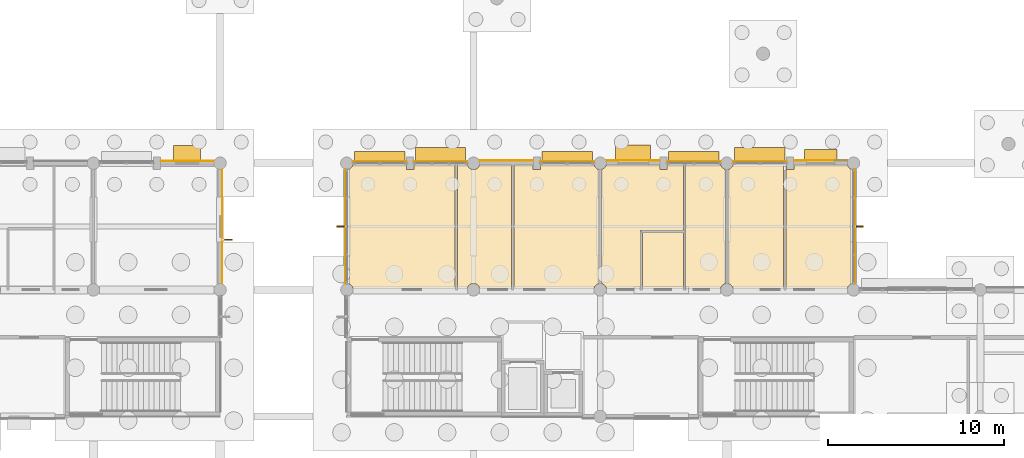
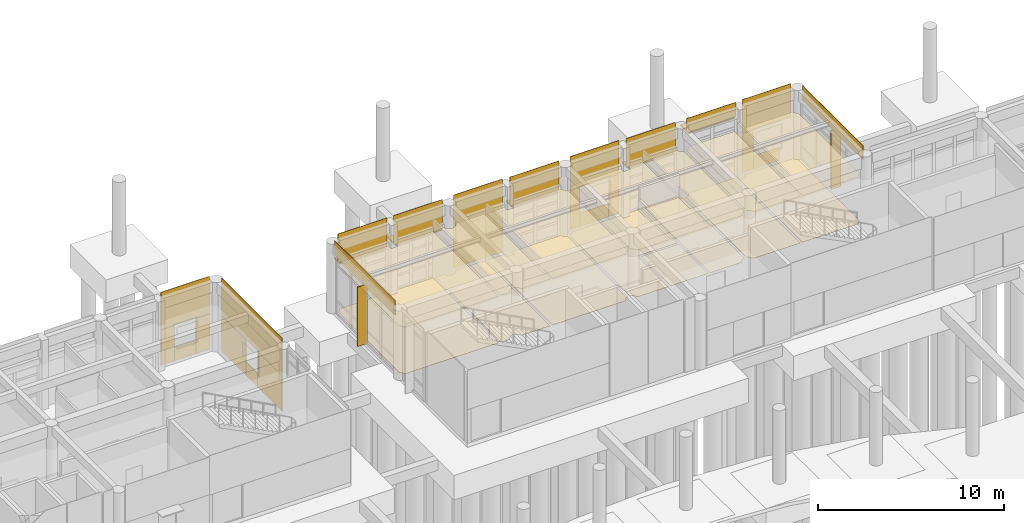
# One storey, part 98 of 103: 39 coverings, 11 shading devices.
"""IFC4 building model written with IfcOpenShell, lengths in metres."""

import ifcopenshell
import ifcopenshell.guid

model = None  # the IFC model being written
_history = None  # IfcOwnerHistory: only IFC2X3 demands one
_inside = {}  # id of a spatial element -> (the spatial element, [elements in it])
_under = {}  # id of a project, library or spatial element -> (it, [spatial elements below it])
_declared = {}  # id of a project -> (the project, [libraries it declares])
_typed = {}  # id of a type object -> (the type object, [elements of that type])
_made_of = {}  # id of a material, layer set ... -> (it, [elements and type objects made of it])


def new_model(schema):
    """Start an empty IFC model of exactly this schema.

    Asked for "IFC4X3", IfcOpenShell would pick the latest addendum, in which some entities
    have other attributes; the version numbers below select the first issue.
    IFC2X3 requires an IfcOwnerHistory on every rooted entity: one is made here for all.
    """
    global model, _history
    if schema == "IFC4X3":
        model = ifcopenshell.file(schema_version=(4, 3, 0, 0))
    else:
        model = ifcopenshell.file(schema=schema)
    _inside.clear()
    _under.clear()
    _declared.clear()
    _typed.clear()
    _made_of.clear()
    _history = None
    if model.schema == "IFC2X3":
        org = make("IfcOrganization", Name="unknown")
        user = make(
            "IfcPersonAndOrganization",
            ThePerson=make("IfcPerson", FamilyName="unknown"),
            TheOrganization=org,
        )
        app = make(
            "IfcApplication",
            ApplicationDeveloper=org,
            Version="unknown",
            ApplicationFullName="unknown",
            ApplicationIdentifier="unknown",
        )
        _history = make(
            "IfcOwnerHistory",
            OwningUser=user,
            OwningApplication=app,
            ChangeAction="ADDED",
            CreationDate=0,
        )
    return model


def make(cls, **values):
    """One entity of the class cls with the attributes given. An attribute that is None is left unset."""
    return model.create_entity(
        cls, **{name: value for name, value in values.items() if value is not None}
    )


def rooted(cls, **values):
    """An entity with a GlobalId (a new one), such as an element, a storey or a relation."""
    return make(cls, GlobalId=ifcopenshell.guid.new(), OwnerHistory=_history, **values)


def si_unit(unit_type, name, prefix=None):
    """IfcSIUnit, for example si_unit("LENGTHUNIT", "METRE", prefix="MILLI")."""
    return make("IfcSIUnit", UnitType=unit_type, Prefix=prefix, Name=name)


def assignment(units):
    """IfcUnitAssignment: the units of a project."""
    return None if units is None else make("IfcUnitAssignment", Units=units)


def point(xyz):
    """IfcCartesianPoint."""
    return None if xyz is None else make("IfcCartesianPoint", Coordinates=xyz)


def direction(xyz):
    """IfcDirection."""
    return None if xyz is None else make("IfcDirection", DirectionRatios=xyz)


def frame(location, z_axis=None, x_axis=None):
    """IfcAxis2Placement3D, a coordinate frame: its origin and axes. An axis left out is left unset."""
    return make(
        "IfcAxis2Placement3D",
        Location=point(location),
        Axis=direction(z_axis),
        RefDirection=direction(x_axis),
    )


def frame_2d(location, x_axis=None):
    """IfcAxis2Placement2D, a coordinate frame in the plane: its origin and x axis."""
    return make(
        "IfcAxis2Placement2D", Location=point(location), RefDirection=direction(x_axis)
    )


def origin():
    """The frame at (0, 0, 0) with its axes left unset."""
    return frame((0.0, 0.0, 0.0))


def origin_2d():
    """The frame at (0, 0) in the plane with its x axis left unset."""
    return frame_2d((0.0, 0.0))


def place(relative_to, where):
    """IfcLocalPlacement: puts the frame where relative to a parent placement (None: the world)."""
    return make(
        "IfcLocalPlacement", PlacementRelTo=relative_to, RelativePlacement=where
    )


def context(
    kind, dimensions, precision=None, world=None, true_north=None, identifier=None
):
    """IfcGeometricRepresentationContext, for example the 3D "Model" context."""
    return make(
        "IfcGeometricRepresentationContext",
        ContextIdentifier=identifier,
        ContextType=kind,
        CoordinateSpaceDimension=dimensions,
        Precision=precision,
        WorldCoordinateSystem=world,
        TrueNorth=true_north,
    )


def subcontext(parent, identifier, kind, view, scale=None):
    """IfcGeometricRepresentationSubContext, for example "Body" below "Model"."""
    return make(
        "IfcGeometricRepresentationSubContext",
        ContextIdentifier=identifier,
        ContextType=kind,
        ParentContext=parent,
        TargetScale=scale,
        TargetView=view,
    )


def project(units=None, contexts=None):
    """IfcProject with its units and contexts."""
    return rooted(
        "IfcProject",
        Name="project",
        RepresentationContexts=contexts,
        UnitsInContext=assignment(units),
    )


def spatial(cls, under=None, at=None, **own):
    """A site, building, storey or space (cls), placed at a placement, below another one or the project."""
    s = rooted(cls, ObjectPlacement=at, **own)
    if under is not None:
        _under.setdefault(under.id(), (under, []))[1].append(s)
    return s


def polyline(points):
    """IfcPolyline through the points."""
    return make("IfcPolyline", Points=[point(p) for p in points])


def profile(cls, at=None, kind="AREA", **sizes):
    """A parametric profile (cls). Its sizes go by their IFC names, for example OverallWidth=200.0."""
    return make(cls, ProfileType=kind, Position=at, **sizes)


def rectangle(**sizes):
    """IfcRectangleProfileDef."""
    return profile("IfcRectangleProfileDef", **sizes)


def outline(outer, holes=None, kind="AREA"):
    """IfcArbitraryClosedProfileDef: a profile drawn as a closed curve; with holes, ...WithVoids."""
    if holes is None:
        return make("IfcArbitraryClosedProfileDef", ProfileType=kind, OuterCurve=outer)
    return make(
        "IfcArbitraryProfileDefWithVoids",
        ProfileType=kind,
        OuterCurve=outer,
        InnerCurves=holes,
    )


def extrude(swept, where, along, depth):
    """IfcExtrudedAreaSolid: the profile swept, set in the frame where, extruded along a direction by depth."""
    return make(
        "IfcExtrudedAreaSolid",
        SweptArea=swept,
        Position=where,
        ExtrudedDirection=direction(along),
        Depth=depth,
    )


def shape(context_of_items, identifier, shape_type, items):
    """IfcShapeRepresentation: the items that make up one representation, for example the "Body"."""
    return make(
        "IfcShapeRepresentation",
        ContextOfItems=context_of_items,
        RepresentationIdentifier=identifier,
        RepresentationType=shape_type,
        Items=items,
    )


def material(Name=None, Category=None):
    """IfcMaterial."""
    return make("IfcMaterial", Name=Name, Category=Category)


def layer(
    of_material, thickness, ventilated=None, Name=None, Category=None, Priority=None
):
    """IfcMaterialLayer: one layer of a wall or slab, of a material (None: an air gap)."""
    return make(
        "IfcMaterialLayer",
        Material=of_material,
        LayerThickness=thickness,
        IsVentilated=ventilated,
        Name=Name,
        Category=Category,
        Priority=Priority,
    )


def layer_set(layers, Name=None):
    """IfcMaterialLayerSet."""
    return make("IfcMaterialLayerSet", MaterialLayers=layers, LayerSetName=Name)


def made_of(thing, what):
    """Note that an element or type object is made of a material, layer set ...; save() writes the relation."""
    if what is not None:
        _made_of.setdefault(what.id(), (what, []))[1].append(thing)
    return thing


def type_object(cls, material=None, **own):
    """A type object (cls), such as IfcWallType, which elements share."""
    return made_of(rooted(cls, **own), material)


def element(
    cls,
    number,
    at=None,
    inside=None,
    cuts=None,
    type_object=None,
    material=None,
    context=None,
    identifier="Body",
    shape_type=None,
    held_by="IfcProductDefinitionShape",
    body=None,
    shapes=None,
    **own,
):
    """One element of the class cls, such as IfcWall. Its Tag is "e" and its number.

    at: its placement. inside: the storey or other place that contains it. cuts: it is an
    opening in that element (IfcRelVoidsElement). A single representation is given by context,
    identifier, shape_type and body (its items); several are given by shapes. held_by: the class
    of the entity that holds the representations. save() writes the other relations.
    """
    e = rooted(cls, Tag="e%d" % number, ObjectPlacement=at, **own)
    if body is not None:
        shapes = [shape(context, identifier, shape_type, body)]
    if shapes is not None:
        e.Representation = make(held_by, Representations=shapes)
    if inside is not None:
        _inside.setdefault(inside.id(), (inside, []))[1].append(e)
    if cuts is not None:
        rooted(
            "IfcRelVoidsElement", RelatingBuildingElement=cuts, RelatedOpeningElement=e
        )
    if type_object is not None:
        _typed.setdefault(type_object.id(), (type_object, []))[1].append(e)
    return made_of(e, material)


def aggregate(whole, parts):
    """IfcRelAggregates: a whole, such as a stair, and the parts it consists of."""
    return rooted("IfcRelAggregates", RelatingObject=whole, RelatedObjects=parts)


def save(model, path):
    """Write the relations noted so far, then the file.

    IfcRelAggregates (storeys below a building ...), IfcRelContainedInSpatialStructure (elements
    in a storey), IfcRelDefinesByType, IfcRelAssociatesMaterial and IfcRelDeclares: one each for
    every whole, place, type object, material and project.
    """
    for whole, parts in _under.values():
        aggregate(whole, parts)
    for where, things in _inside.values():
        rooted(
            "IfcRelContainedInSpatialStructure",
            RelatedElements=things,
            RelatingStructure=where,
        )
    for kind, things in _typed.values():
        rooted("IfcRelDefinesByType", RelatedObjects=things, RelatingType=kind)
    for what, things in _made_of.values():
        rooted("IfcRelAssociatesMaterial", RelatedObjects=things, RelatingMaterial=what)
    for by, libraries in _declared.values():
        rooted("IfcRelDeclares", RelatingContext=by, RelatedDefinitions=libraries)
    model.write(path)


model = new_model("IFC4")

# Units and contexts
model_context = context("Model", 3, precision=1e-05, world=origin(), true_north=direction((0.0, 1.0)))
body_context = subcontext(model_context, "Body", "Model", "MODEL_VIEW")
ifc_project = project(units=[si_unit("LENGTHUNIT", "METRE"), si_unit("AREAUNIT", "SQUARE_METRE"), si_unit("VOLUMEUNIT", "CUBIC_METRE"), si_unit("PLANEANGLEUNIT", "RADIAN"), si_unit("MASSUNIT", "GRAM", prefix="KILO")], contexts=[model_context])

# Site, building, storey
site_placement = place(None, origin())
site = spatial("IfcSite", under=ifc_project, at=site_placement, CompositionType="ELEMENT")
building_placement = place(site_placement, origin())
building = spatial("IfcBuilding", under=site, at=building_placement, Name="Namkhue Oval Health Centre", CompositionType="ELEMENT")
storey_placement = place(building_placement, origin())
storey = spatial("IfcBuildingStorey", under=building, at=storey_placement, Name="L00", CompositionType="ELEMENT", Elevation=0.0)

# Coverings
ifc_material_1 = material(Name="Acoustic mineral-fibre cleanroom ceiling", Category="gypsum")
ifc_layer_1 = layer(ifc_material_1, 0.02001953125)
ifc_layer_set_1 = layer_set([ifc_layer_1], Name="Acoustic mineral-fibre cleanroom ceiling")
covering_type_1 = type_object("IfcCoveringType", Name="ACOUSTIC CLEANROOM CEILING 20", PredefinedType="CEILING", material=ifc_layer_set_1)
covering_1_placement = place(storey_placement, frame((0.0, 0.0, 3.050048828125)))
element("IfcCovering", 1, at=covering_1_placement, inside=storey, type_object=covering_type_1, Name="Acoustic Ceiling L00-301 Specialist Outpatient Reception", PredefinedType="CEILING", context=body_context, shape_type="SweptSolid", body=[
    extrude(outline(polyline([(93.949462890625, 97.280029296875), (93.94775390625, 97.293212890625), (93.911865234375, 97.3798828125), (93.8544921875, 97.45458984375), (93.780029296875, 97.51171875), (93.7548828125, 97.522216796875), (93.7548828125, 104.077880859375), (93.780029296875, 104.088134765625), (93.8544921875, 104.1455078125), (93.911865234375, 104.219970703125), (93.94873046875, 104.31494140625), (96.989990234375, 104.31494140625), (96.989990234375, 104.0400390625), (97.409912109375, 104.0400390625), (97.409912109375, 104.31494140625), (99.75390625, 104.31494140625), (99.75390625, 97.280029296875), (93.949462890625, 97.280029296875)])), origin(), (0.0, 0.0, 1.0), 0.02001953125),
])
covering_2_placement = place(storey_placement, frame((0.0, 0.0, 3.050048828125)))
element("IfcCovering", 2, at=covering_2_placement, inside=storey, type_object=covering_type_1, Name="Acoustic Ceiling L00-302 Communications Plant Room", PredefinedType="CEILING", context=body_context, shape_type="SweptSolid", body=[
    extrude(outline(polyline([(101.1494140625, 97.280029296875), (101.147705078125, 97.293212890625), (101.11181640625, 97.3798828125), (101.0546875, 97.45458984375), (100.97998046875, 97.51171875), (100.893310546875, 97.547607421875), (100.800048828125, 97.56005859375), (100.706787109375, 97.547607421875), (100.6201171875, 97.51171875), (100.54541015625, 97.45458984375), (100.48828125, 97.3798828125), (100.452392578125, 97.293212890625), (100.450439453125, 97.280029296875), (99.89404296875, 97.280029296875), (99.89404296875, 104.31494140625), (100.451171875, 104.31494140625), (100.48828125, 104.219970703125), (100.54541015625, 104.1455078125), (100.6201171875, 104.088134765625), (100.706787109375, 104.05224609375), (100.800048828125, 104.0400390625), (100.893310546875, 104.05224609375), (100.97998046875, 104.088134765625), (101.0546875, 104.1455078125), (101.11181640625, 104.219970703125), (101.148681640625, 104.31494140625), (102.948974609375, 104.31494140625), (102.948974609375, 97.280029296875), (101.1494140625, 97.280029296875)])), origin(), (0.0, 0.0, 1.0), 0.02001953125),
])
covering_3_placement = place(storey_placement, frame((0.0, 0.0, 3.050048828125)))
element("IfcCovering", 3, at=covering_3_placement, inside=storey, type_object=covering_type_1, Name="Acoustic Ceiling L00-303 Ophthalmology Vision Clinic", PredefinedType="CEILING", context=body_context, shape_type="SweptSolid", body=[
    extrude(outline(polyline([(103.089111328125, 97.280029296875), (103.089111328125, 104.31494140625), (104.18994140625, 104.31494140625), (104.18994140625, 104.0400390625), (104.610107421875, 104.0400390625), (104.610107421875, 104.31494140625), (107.651123046875, 104.31494140625), (107.688232421875, 104.219970703125), (107.745361328125, 104.1455078125), (107.820068359375, 104.088134765625), (107.90673828125, 104.05224609375), (107.929931640625, 104.04931640625), (107.929931640625, 97.55078125), (107.90673828125, 97.547607421875), (107.820068359375, 97.51171875), (107.745361328125, 97.45458984375), (107.688232421875, 97.3798828125), (107.65234375, 97.293212890625), (107.650390625, 97.280029296875), (103.089111328125, 97.280029296875)])), origin(), (0.0, 0.0, 1.0), 0.02001953125),
])
covering_4_placement = place(storey_placement, frame((0.0, 0.0, 3.050048828125)))
element("IfcCovering", 4, at=covering_4_placement, inside=storey, type_object=covering_type_1, Name="Acoustic Ceiling L00-304 Outpatient Clean Utility Room", PredefinedType="CEILING", context=body_context, shape_type="SweptSolid", body=[
    extrude(outline(polyline([(111.389892578125, 104.31494140625), (111.389892578125, 104.0400390625), (111.81005859375, 104.0400390625), (111.81005859375, 104.31494140625), (112.739990234375, 104.31494140625), (112.739990234375, 100.580078125), (110.280029296875, 100.580078125), (110.280029296875, 97.280029296875), (108.349609375, 97.280029296875), (108.34765625, 97.293212890625), (108.311767578125, 97.3798828125), (108.254638671875, 97.45458984375), (108.179931640625, 97.51171875), (108.09326171875, 97.547607421875), (108.070068359375, 97.55078125), (108.070068359375, 104.04931640625), (108.09326171875, 104.05224609375), (108.179931640625, 104.088134765625), (108.254638671875, 104.1455078125), (108.311767578125, 104.219970703125), (108.348876953125, 104.31494140625), (111.389892578125, 104.31494140625)])), origin(), (0.0, 0.0, 1.0), 0.02001953125),
])
covering_5_placement = place(storey_placement, frame((0.0, 0.0, 3.050048828125)))
element("IfcCovering", 5, at=covering_5_placement, inside=storey, type_object=covering_type_1, Name="Acoustic Ceiling L00-305 Accessible WC", PredefinedType="CEILING", context=body_context, shape_type="SweptSolid", body=[
    extrude(outline(polyline([(112.739990234375, 100.4599609375), (112.739990234375, 97.280029296875), (110.39990234375, 97.280029296875), (110.39990234375, 100.4599609375), (112.739990234375, 100.4599609375)])), origin(), (0.0, 0.0, 1.0), 0.02001953125),
])
covering_6_placement = place(storey_placement, frame((0.0, 0.0, 3.050048828125)))
element("IfcCovering", 6, at=covering_6_placement, inside=storey, type_object=covering_type_1, Name="Acoustic Ceiling L00-306 Public Washroom", PredefinedType="CEILING", context=body_context, shape_type="SweptSolid", body=[
    extrude(outline(polyline([(112.860107421875, 97.280029296875), (112.860107421875, 104.31494140625), (114.851318359375, 104.31494140625), (114.88818359375, 104.219970703125), (114.9453125, 104.1455078125), (115.02001953125, 104.088134765625), (115.106689453125, 104.05224609375), (115.1298828125, 104.04931640625), (115.1298828125, 97.55078125), (115.106689453125, 97.547607421875), (115.02001953125, 97.51171875), (114.9453125, 97.45458984375), (114.88818359375, 97.3798828125), (114.852294921875, 97.293212890625), (114.8505859375, 97.280029296875), (112.860107421875, 97.280029296875)])), origin(), (0.0, 0.0, 1.0), 0.02001953125),
])
covering_7_placement = place(storey_placement, frame((0.0, 0.0, 3.050048828125)))
element("IfcCovering", 7, at=covering_7_placement, inside=storey, type_object=covering_type_1, Name="Acoustic Ceiling L00-307 Audiology ENT Examination", PredefinedType="CEILING", context=body_context, shape_type="SweptSolid", body=[
    extrude(outline(polyline([(115.549560546875, 97.280029296875), (115.547607421875, 97.293212890625), (115.51171875, 97.3798828125), (115.45458984375, 97.45458984375), (115.3798828125, 97.51171875), (115.293212890625, 97.547607421875), (115.27001953125, 97.55078125), (115.27001953125, 104.04931640625), (115.293212890625, 104.05224609375), (115.3798828125, 104.088134765625), (115.45458984375, 104.1455078125), (115.51171875, 104.219970703125), (115.548828125, 104.31494140625), (118.427001953125, 104.31494140625), (118.427001953125, 97.280029296875), (115.549560546875, 97.280029296875)])), origin(), (0.0, 0.0, 1.0), 0.02001953125),
])
covering_8_placement = place(storey_placement, frame((0.0, 0.0, 3.050048828125)))
element("IfcCovering", 8, at=covering_8_placement, inside=storey, type_object=covering_type_1, Name="Acoustic Ceiling L00-308 Cardiology Echocardiography Room", PredefinedType="CEILING", context=body_context, shape_type="SweptSolid", body=[
    extrude(outline(polyline([(118.56689453125, 97.280029296875), (118.56689453125, 104.31494140625), (118.590087890625, 104.31494140625), (118.590087890625, 104.0400390625), (119.010009765625, 104.0400390625), (119.010009765625, 104.31494140625), (122.05126953125, 104.31494140625), (122.088134765625, 104.219970703125), (122.1455078125, 104.1455078125), (122.219970703125, 104.088134765625), (122.2451171875, 104.077880859375), (122.2451171875, 97.522216796875), (122.219970703125, 97.51171875), (122.1455078125, 97.45458984375), (122.088134765625, 97.3798828125), (122.05224609375, 97.293212890625), (122.050537109375, 97.280029296875), (118.56689453125, 97.280029296875)])), origin(), (0.0, 0.0, 1.0), 0.02001953125),
])
ifc_material_2 = material(Name="Homogeneous anti-bacterial clinical vinyl flooring", Category="plastic")
ifc_layer_2 = layer(ifc_material_2, 0.014892578125)
ifc_layer_set_2 = layer_set([ifc_layer_2], Name="Homogeneous anti-bacterial clinical vinyl flooring")
covering_type_2 = type_object("IfcCoveringType", Name="CLINICAL ANTIBACTERIAL VINYL FLOORING 15", PredefinedType="FLOORING", material=ifc_layer_set_2)
covering_9_placement = place(storey_placement, origin())
element("IfcCovering", 9, at=covering_9_placement, inside=storey, type_object=covering_type_2, Name="Clinical Flooring L00-301 Specialist Outpatient Reception", PredefinedType="FLOORING", context=body_context, shape_type="SweptSolid", body=[
    extrude(outline(polyline([(93.949462890625, 97.280029296875), (93.94775390625, 97.293212890625), (93.911865234375, 97.3798828125), (93.8544921875, 97.45458984375), (93.780029296875, 97.51171875), (93.7548828125, 97.522216796875), (93.7548828125, 104.077880859375), (93.780029296875, 104.088134765625), (93.8544921875, 104.1455078125), (93.911865234375, 104.219970703125), (93.94873046875, 104.31494140625), (96.989990234375, 104.31494140625), (96.989990234375, 104.0400390625), (97.409912109375, 104.0400390625), (97.409912109375, 104.31494140625), (99.75390625, 104.31494140625), (99.75390625, 97.280029296875), (93.949462890625, 97.280029296875)])), origin(), (0.0, 0.0, 1.0), 0.014892578125),
])
covering_10_placement = place(storey_placement, origin())
element("IfcCovering", 10, at=covering_10_placement, inside=storey, type_object=covering_type_2, Name="Clinical Flooring L00-302 Communications Plant Room", PredefinedType="FLOORING", context=body_context, shape_type="SweptSolid", body=[
    extrude(outline(polyline([(101.1494140625, 97.280029296875), (101.147705078125, 97.293212890625), (101.11181640625, 97.3798828125), (101.0546875, 97.45458984375), (100.97998046875, 97.51171875), (100.893310546875, 97.547607421875), (100.800048828125, 97.56005859375), (100.706787109375, 97.547607421875), (100.6201171875, 97.51171875), (100.54541015625, 97.45458984375), (100.48828125, 97.3798828125), (100.452392578125, 97.293212890625), (100.450439453125, 97.280029296875), (99.89404296875, 97.280029296875), (99.89404296875, 104.31494140625), (100.451171875, 104.31494140625), (100.48828125, 104.219970703125), (100.54541015625, 104.1455078125), (100.6201171875, 104.088134765625), (100.706787109375, 104.05224609375), (100.800048828125, 104.0400390625), (100.893310546875, 104.05224609375), (100.97998046875, 104.088134765625), (101.0546875, 104.1455078125), (101.11181640625, 104.219970703125), (101.148681640625, 104.31494140625), (102.948974609375, 104.31494140625), (102.948974609375, 97.280029296875), (101.1494140625, 97.280029296875)])), origin(), (0.0, 0.0, 1.0), 0.014892578125),
])
covering_11_placement = place(storey_placement, origin())
element("IfcCovering", 11, at=covering_11_placement, inside=storey, type_object=covering_type_2, Name="Clinical Flooring L00-303 Ophthalmology Vision Clinic", PredefinedType="FLOORING", context=body_context, shape_type="SweptSolid", body=[
    extrude(outline(polyline([(103.089111328125, 97.280029296875), (103.089111328125, 104.31494140625), (104.18994140625, 104.31494140625), (104.18994140625, 104.0400390625), (104.610107421875, 104.0400390625), (104.610107421875, 104.31494140625), (107.651123046875, 104.31494140625), (107.688232421875, 104.219970703125), (107.745361328125, 104.1455078125), (107.820068359375, 104.088134765625), (107.90673828125, 104.05224609375), (107.929931640625, 104.04931640625), (107.929931640625, 97.55078125), (107.90673828125, 97.547607421875), (107.820068359375, 97.51171875), (107.745361328125, 97.45458984375), (107.688232421875, 97.3798828125), (107.65234375, 97.293212890625), (107.650390625, 97.280029296875), (103.089111328125, 97.280029296875)])), origin(), (0.0, 0.0, 1.0), 0.014892578125),
])
covering_12_placement = place(storey_placement, origin())
element("IfcCovering", 12, at=covering_12_placement, inside=storey, type_object=covering_type_2, Name="Clinical Flooring L00-304 Outpatient Clean Utility Room", PredefinedType="FLOORING", context=body_context, shape_type="SweptSolid", body=[
    extrude(outline(polyline([(111.389892578125, 104.31494140625), (111.389892578125, 104.0400390625), (111.81005859375, 104.0400390625), (111.81005859375, 104.31494140625), (112.739990234375, 104.31494140625), (112.739990234375, 100.580078125), (110.280029296875, 100.580078125), (110.280029296875, 97.280029296875), (108.349609375, 97.280029296875), (108.34765625, 97.293212890625), (108.311767578125, 97.3798828125), (108.254638671875, 97.45458984375), (108.179931640625, 97.51171875), (108.09326171875, 97.547607421875), (108.070068359375, 97.55078125), (108.070068359375, 104.04931640625), (108.09326171875, 104.05224609375), (108.179931640625, 104.088134765625), (108.254638671875, 104.1455078125), (108.311767578125, 104.219970703125), (108.348876953125, 104.31494140625), (111.389892578125, 104.31494140625)])), origin(), (0.0, 0.0, 1.0), 0.014892578125),
])
covering_13_placement = place(storey_placement, origin())
element("IfcCovering", 13, at=covering_13_placement, inside=storey, type_object=covering_type_2, Name="Clinical Flooring L00-305 Accessible WC", PredefinedType="FLOORING", context=body_context, shape_type="SweptSolid", body=[
    extrude(outline(polyline([(112.739990234375, 100.4599609375), (112.739990234375, 97.280029296875), (110.39990234375, 97.280029296875), (110.39990234375, 100.4599609375), (112.739990234375, 100.4599609375)])), origin(), (0.0, 0.0, 1.0), 0.014892578125),
])
covering_14_placement = place(storey_placement, origin())
element("IfcCovering", 14, at=covering_14_placement, inside=storey, type_object=covering_type_2, Name="Clinical Flooring L00-306 Public Washroom", PredefinedType="FLOORING", context=body_context, shape_type="SweptSolid", body=[
    extrude(outline(polyline([(112.860107421875, 97.280029296875), (112.860107421875, 104.31494140625), (114.851318359375, 104.31494140625), (114.88818359375, 104.219970703125), (114.9453125, 104.1455078125), (115.02001953125, 104.088134765625), (115.106689453125, 104.05224609375), (115.1298828125, 104.04931640625), (115.1298828125, 97.55078125), (115.106689453125, 97.547607421875), (115.02001953125, 97.51171875), (114.9453125, 97.45458984375), (114.88818359375, 97.3798828125), (114.852294921875, 97.293212890625), (114.8505859375, 97.280029296875), (112.860107421875, 97.280029296875)])), origin(), (0.0, 0.0, 1.0), 0.014892578125),
])
covering_15_placement = place(storey_placement, origin())
element("IfcCovering", 15, at=covering_15_placement, inside=storey, type_object=covering_type_2, Name="Clinical Flooring L00-307 Audiology ENT Examination", PredefinedType="FLOORING", context=body_context, shape_type="SweptSolid", body=[
    extrude(outline(polyline([(115.549560546875, 97.280029296875), (115.547607421875, 97.293212890625), (115.51171875, 97.3798828125), (115.45458984375, 97.45458984375), (115.3798828125, 97.51171875), (115.293212890625, 97.547607421875), (115.27001953125, 97.55078125), (115.27001953125, 104.04931640625), (115.293212890625, 104.05224609375), (115.3798828125, 104.088134765625), (115.45458984375, 104.1455078125), (115.51171875, 104.219970703125), (115.548828125, 104.31494140625), (118.427001953125, 104.31494140625), (118.427001953125, 97.280029296875), (115.549560546875, 97.280029296875)])), origin(), (0.0, 0.0, 1.0), 0.014892578125),
])
covering_16_placement = place(storey_placement, origin())
element("IfcCovering", 16, at=covering_16_placement, inside=storey, type_object=covering_type_2, Name="Clinical Flooring L00-308 Cardiology Echocardiography Room", PredefinedType="FLOORING", context=body_context, shape_type="SweptSolid", body=[
    extrude(outline(polyline([(118.56689453125, 97.280029296875), (118.56689453125, 104.31494140625), (118.590087890625, 104.31494140625), (118.590087890625, 104.0400390625), (119.010009765625, 104.0400390625), (119.010009765625, 104.31494140625), (122.05126953125, 104.31494140625), (122.088134765625, 104.219970703125), (122.1455078125, 104.1455078125), (122.219970703125, 104.088134765625), (122.2451171875, 104.077880859375), (122.2451171875, 97.522216796875), (122.219970703125, 97.51171875), (122.1455078125, 97.45458984375), (122.088134765625, 97.3798828125), (122.05224609375, 97.293212890625), (122.050537109375, 97.280029296875), (118.56689453125, 97.280029296875)])), origin(), (0.0, 0.0, 1.0), 0.014892578125),
])

# Shading devices
ifc_material_3 = material(Name="Anodised aluminium EN AW-6063 T6", Category="aluminium")
ifc_layer_3 = layer(ifc_material_3, 0.06005859375)
ifc_layer_set_3 = layer_set([ifc_layer_3], Name="Anodised aluminium EN AW-6063 T6")
shading_device_type_1 = type_object("IfcShadingDeviceType", Name="MONSOON SUN LOUVRE 900", PredefinedType="JALOUSIE", material=ifc_layer_set_3)
shading_device_1_placement = place(storey_placement, frame((84.525390625, 104.955078125, 2.340087890625), z_axis=(0.0, 0.0, 1.0), x_axis=(-1.0, 0.0, 0.0)))
element("IfcShadingDevice", 17, at=shading_device_1_placement, inside=storey, type_object=shading_device_type_1, Name="Volume V2 L00 Window Monsoon Louvre 48", PredefinedType="JALOUSIE", context=body_context, shape_type="SweptSolid", body=[
    extrude(rectangle(XDim=1.5400390625, YDim=0.89990234375, at=origin_2d()), origin(), (0.0, 0.0, 1.0), 0.06005859375),
])
shading_device_2_placement = place(storey_placement, frame((117.074462890625, 104.85009765625, 3.81494140625), z_axis=(0.0, 0.0, 1.0), x_axis=(-1.0, 0.0, 0.0)))
element("IfcShadingDevice", 18, at=shading_device_2_placement, inside=storey, type_object=shading_device_type_1, Name="Volume V3 L00 Horizontal Monsoon Sun Louvre 122", PredefinedType="JALOUSIE", context=body_context, shape_type="SweptSolid", body=[
    extrude(rectangle(XDim=2.85888671875, YDim=0.89990234375, at=origin_2d()), origin(), (0.0, 0.0, 1.0), 0.06005859375),
])
shading_device_3_placement = place(storey_placement, frame((109.87451171875, 104.97509765625, 2.580078125), z_axis=(0.0, 0.0, 1.0), x_axis=(-1.0, 0.0, 0.0)))
element("IfcShadingDevice", 19, at=shading_device_3_placement, inside=storey, type_object=shading_device_type_1, Name="Volume V3 L00 Window Monsoon Louvre 124", PredefinedType="JALOUSIE", context=body_context, shape_type="SweptSolid", body=[
    extrude(rectangle(XDim=1.989990234375, YDim=0.89990234375, at=origin_2d()), origin(), (0.0, 0.0, 1.0), 0.06005859375),
])
shading_device_4_placement = place(storey_placement, frame((98.925537109375, 104.85009765625, 2.830078125), z_axis=(0.0, 0.0, 1.0), x_axis=(-1.0, 0.0, 0.0)))
element("IfcShadingDevice", 20, at=shading_device_4_placement, inside=storey, type_object=shading_device_type_1, Name="Volume V3 L00 Horizontal Monsoon Sun Louvre 126", PredefinedType="JALOUSIE", context=body_context, shape_type="SweptSolid", body=[
    extrude(rectangle(XDim=2.85888671875, YDim=0.89990234375, at=origin_2d()), origin(), (0.0, 0.0, 1.0), 0.06005859375),
])
ifc_layer_4 = layer(ifc_material_3, 0.050048828125)
ifc_layer_set_4 = layer_set([ifc_layer_4], Name="Anodised aluminium EN AW-6063 T6")
shading_device_type_2 = type_object("IfcShadingDeviceType", Name="STORM SHUTTER LOUVRE 650", PredefinedType="SHUTTER", material=ifc_layer_set_4)
shading_device_5_placement = place(storey_placement, frame((120.525390625, 104.844970703125, 2.580078125), z_axis=(0.0, 0.0, 1.0), x_axis=(-1.0, 0.0, 0.0)))
element("IfcShadingDevice", 21, at=shading_device_5_placement, inside=storey, type_object=shading_device_type_2, Name="Volume V3 L00 Window Monsoon Louvre 121", PredefinedType="SHUTTER", context=body_context, shape_type="SweptSolid", body=[
    extrude(rectangle(XDim=1.840087890625, YDim=0.64990234375, at=origin_2d()), origin(), (0.0, 0.0, 1.0), 0.06005859375),
])
for number, where, z_axis, x_axis, name in (
    (22, (113.325439453125, 104.72509765625, 2.830078125), (0.0, 0.0, 1.0), (-1.0, 0.0, 0.0), "Volume V3 L00 Horizontal Monsoon Sun Louvre 123"),
    (23, (106.12548828125, 104.72509765625, 2.830078125), (0.0, 0.0, 1.0), (-1.0, 0.0, 0.0), "Volume V3 L00 Horizontal Monsoon Sun Louvre 125"),
    (24, (95.474609375, 104.72509765625, 2.830078125), (0.0, 0.0, 1.0), (-1.0, 0.0, 0.0), "Volume V3 L00 Horizontal Monsoon Sun Louvre 127"),
):
    element("IfcShadingDevice", number, at=place(storey_placement, frame(where, z_axis=z_axis, x_axis=x_axis)), inside=storey, type_object=shading_device_type_2, Name=name, PredefinedType="SHUTTER", context=body_context, shape_type="SweptSolid", body=[
        extrude(rectangle(XDim=2.85888671875, YDim=0.64990234375, at=origin_2d()), origin(), (0.0, 0.0, 1.0), 0.06005859375),
    ])
shading_device_type_3 = type_object("IfcShadingDeviceType", Name="VERTICAL SOLAR FIN 600", PredefinedType="USERDEFINED", material=ifc_material_3)
shading_device_6_placement = place(storey_placement, frame((86.7900390625, 100.06005859375, 0.800048828125), z_axis=(0.0, 0.0, 1.0), x_axis=(1.0, 0.0, 0.0)))
element("IfcShadingDevice", 25, at=shading_device_6_placement, inside=storey, type_object=shading_device_type_3, Name="Volume V2 L00 Window Solar Fin 47", ObjectType="SOLAR FIN", PredefinedType="USERDEFINED", context=body_context, shape_type="SweptSolid", body=[
    extrude(rectangle(XDim=0.60009765625, YDim=0.06005859375, at=origin_2d()), origin(), (0.0, 0.0, 1.0), 1.6201171875),
])
for number, where, z_axis, x_axis, name in (
    (26, (122.659912109375, 100.800048828125, 0.0), (0.0, 0.0, 1.0), (1.0, 0.0, 0.0), "Volume V3 L00 Extruded Aluminium Solar Fin 120"),
    (27, (93.340087890625, 100.800048828125, 0.0), (0.0, 0.0, 1.0), (-1.0, 0.0, 0.0), "Volume V3 L00 Extruded Aluminium Solar Fin 128"),
):
    element("IfcShadingDevice", number, at=place(storey_placement, frame(where, z_axis=z_axis, x_axis=x_axis)), inside=storey, type_object=shading_device_type_3, Name=name, ObjectType="SOLAR FIN", PredefinedType="USERDEFINED", context=body_context, shape_type="SweptSolid", body=[
        extrude(rectangle(XDim=0.60009765625, YDim=0.06005859375, at=origin_2d()), origin(), (0.0, 0.0, 1.0), 3.885009765625),
    ])

# Coverings
ifc_material_4 = material(Name="White glass-fibre reinforced concrete GRC rainscreen cladding", Category="concrete")
ifc_layer_5 = layer(ifc_material_4, 0.02490234375)
ifc_layer_set_5 = layer_set([ifc_layer_5], Name="White glass-fibre reinforced concrete GRC rainscreen cladding")
covering_type_3 = type_object("IfcCoveringType", Name="WHITE GRC RAINSCREEN CLADDING 25", PredefinedType="CLADDING", material=ifc_layer_set_5)
covering_17_placement = place(storey_placement, frame((86.52197265625, 100.800048828125, 2.3349609375), z_axis=(0.0, 0.0, 1.0), x_axis=(0.0, 1.0, 0.0)))
element("IfcCovering", 28, at=covering_17_placement, inside=storey, type_object=covering_type_3, Name="Volume V2 L00 Facade 21 White GRC Cladding 1", PredefinedType="CLADDING", context=body_context, shape_type="SweptSolid", body=[
    extrude(rectangle(XDim=6.469970703125, YDim=0.02490234375, at=origin_2d()), origin(), (0.0, 0.0, 1.0), 2.455078125),
])
covering_18_placement = place(storey_placement, frame((86.52197265625, 98.875, 0.009765625), z_axis=(0.0, 0.0, 1.0), x_axis=(0.0, 1.0, 0.0)))
element("IfcCovering", 29, at=covering_18_placement, inside=storey, type_object=covering_type_3, Name="Volume V2 L00 Facade 21 White GRC Cladding 2", PredefinedType="CLADDING", context=body_context, shape_type="SweptSolid", body=[
    extrude(rectangle(XDim=2.6201171875, YDim=0.02490234375, at=origin_2d()), origin(), (0.0, 0.0, 1.0), 2.320068359375),
])
covering_19_placement = place(storey_placement, frame((86.52197265625, 100.800048828125, 0.010009765625), z_axis=(0.0, 0.0, 1.0), x_axis=(0.0, 1.0, 0.0)))
element("IfcCovering", 30, at=covering_19_placement, inside=storey, type_object=covering_type_3, Name="Volume V2 L00 Facade 21 White GRC Cladding 3", PredefinedType="CLADDING", context=body_context, shape_type="SweptSolid", body=[
    extrude(rectangle(XDim=1.219970703125, YDim=0.02490234375, at=origin_2d()), origin(), (0.0, 0.0, 1.0), 0.875),
])
covering_20_placement = place(storey_placement, frame((86.52197265625, 102.72509765625, 0.009765625), z_axis=(0.0, 0.0, 1.0), x_axis=(0.0, 1.0, 0.0)))
element("IfcCovering", 31, at=covering_20_placement, inside=storey, type_object=covering_type_3, Name="Volume V2 L00 Facade 21 White GRC Cladding 4", PredefinedType="CLADDING", context=body_context, shape_type="SweptSolid", body=[
    extrude(rectangle(XDim=2.6201171875, YDim=0.02490234375, at=origin_2d()), origin(), (0.0, 0.0, 1.0), 2.320068359375),
])
covering_21_placement = place(storey_placement, frame((84.525390625, 104.527099609375, 2.3349609375), z_axis=(0.0, 0.0, 1.0), x_axis=(-1.0, 0.0, 0.0)))
element("IfcCovering", 32, at=covering_21_placement, inside=storey, type_object=covering_type_3, Name="Volume V2 L00 Facade 22 White GRC Cladding 1", PredefinedType="CLADDING", context=body_context, shape_type="SweptSolid", body=[
    extrude(rectangle(XDim=3.01904296875, YDim=0.02490234375, at=origin_2d()), origin(), (0.0, 0.0, 1.0), 2.455078125),
])
covering_22_placement = place(storey_placement, frame((85.61279296875, 104.527099609375, 0.009765625), z_axis=(0.0, 0.0, 1.0), x_axis=(-1.0, 0.0, 0.0)))
element("IfcCovering", 33, at=covering_22_placement, inside=storey, type_object=covering_type_3, Name="Volume V2 L00 Facade 22 White GRC Cladding 2", PredefinedType="CLADDING", context=body_context, shape_type="SweptSolid", body=[
    extrude(rectangle(XDim=0.844482421875, YDim=0.02490234375, at=origin_2d()), origin(), (0.0, 0.0, 1.0), 2.320068359375),
])
covering_23_placement = place(storey_placement, frame((84.525390625, 104.527099609375, 0.010009765625), z_axis=(0.0, 0.0, 1.0), x_axis=(-1.0, 0.0, 0.0)))
element("IfcCovering", 34, at=covering_23_placement, inside=storey, type_object=covering_type_3, Name="Volume V2 L00 Facade 22 White GRC Cladding 3", PredefinedType="CLADDING", context=body_context, shape_type="SweptSolid", body=[
    extrude(rectangle(XDim=1.320068359375, YDim=0.02490234375, at=origin_2d()), origin(), (0.0, 0.0, 1.0), 0.875),
])
covering_24_placement = place(storey_placement, frame((83.438232421875, 104.527099609375, 0.009765625), z_axis=(0.0, 0.0, 1.0), x_axis=(-1.0, 0.0, 0.0)))
element("IfcCovering", 35, at=covering_24_placement, inside=storey, type_object=covering_type_3, Name="Volume V2 L00 Facade 22 White GRC Cladding 4", PredefinedType="CLADDING", context=body_context, shape_type="SweptSolid", body=[
    extrude(rectangle(XDim=0.844482421875, YDim=0.02490234375, at=origin_2d()), origin(), (0.0, 0.0, 1.0), 2.320068359375),
])
covering_25_placement = place(storey_placement, frame((122.488525390625, 100.800048828125, 3.8701171875), z_axis=(0.0, 0.0, 1.0), x_axis=(0.0, 1.0, 0.0)))
element("IfcCovering", 36, at=covering_25_placement, inside=storey, type_object=covering_type_3, Name="Volume V3 L00 Curtain Wall Spandrel Cladding 93", PredefinedType="CLADDING", context=body_context, shape_type="SweptSolid", body=[
    extrude(rectangle(XDim=6.5, YDim=0.02490234375, at=origin_2d()), origin(), (0.0, 0.0, 1.0), 0.929931640625),
])
covering_26_placement = place(storey_placement, frame((120.525390625, 104.5419921875, 2.5751953125), z_axis=(0.0, 0.0, 1.0), x_axis=(-1.0, 0.0, 0.0)))
element("IfcCovering", 37, at=covering_26_placement, inside=storey, type_object=covering_type_3, Name="Volume V3 L00 Facade 57 White GRC Cladding 1", PredefinedType="CLADDING", context=body_context, shape_type="SweptSolid", body=[
    extrude(rectangle(XDim=3.01904296875, YDim=0.02490234375, at=origin_2d()), origin(), (0.0, 0.0, 1.0), 2.215087890625),
])
covering_27_placement = place(storey_placement, frame((120.525390625, 104.5419921875, 0.010009765625), z_axis=(0.0, 0.0, 1.0), x_axis=(-1.0, 0.0, 0.0)))
element("IfcCovering", 38, at=covering_27_placement, inside=storey, type_object=covering_type_3, Name="Volume V3 L00 Facade 57 White GRC Cladding 3", PredefinedType="CLADDING", context=body_context, shape_type="SweptSolid", body=[
    extrude(rectangle(XDim=1.6201171875, YDim=0.02490234375, at=origin_2d()), origin(), (0.0, 0.0, 1.0), 0.875),
])
covering_28_placement = place(storey_placement, frame((119.36328125, 104.5419921875, 0.010009765625), z_axis=(0.0, 0.0, 1.0), x_axis=(-1.0, 0.0, 0.0)))
element("IfcCovering", 39, at=covering_28_placement, inside=storey, type_object=covering_type_3, Name="Volume V3 L00 Facade 57 White GRC Cladding 4", PredefinedType="CLADDING", context=body_context, shape_type="SweptSolid", body=[
    extrude(rectangle(XDim=0.694580078125, YDim=0.02490234375, at=origin_2d()), origin(), (0.0, 0.0, 1.0), 2.56005859375),
])
covering_29_placement = place(storey_placement, frame((117.074462890625, 104.488525390625, 3.8701171875), z_axis=(0.0, 0.0, 1.0), x_axis=(-1.0, 0.0, 0.0)))
element("IfcCovering", 40, at=covering_29_placement, inside=storey, type_object=covering_type_3, Name="Volume V3 L00 Curtain Wall Spandrel Cladding 94", PredefinedType="CLADDING", context=body_context, shape_type="SweptSolid", body=[
    extrude(rectangle(XDim=3.049072265625, YDim=0.02490234375, at=origin_2d()), origin(), (0.0, 0.0, 1.0), 0.929931640625),
])
covering_30_placement = place(storey_placement, frame((113.325439453125, 104.488525390625, 2.885009765625), z_axis=(0.0, 0.0, 1.0), x_axis=(-1.0, 0.0, 0.0)))
element("IfcCovering", 41, at=covering_30_placement, inside=storey, type_object=covering_type_3, Name="Volume V3 L00 Curtain Wall Spandrel Cladding 95", PredefinedType="CLADDING", context=body_context, shape_type="SweptSolid", body=[
    extrude(rectangle(XDim=3.049072265625, YDim=0.02490234375, at=origin_2d()), origin(), (0.0, 0.0, 1.0), 1.9150390625),
])
covering_31_placement = place(storey_placement, frame((109.87451171875, 104.547119140625, 2.5751953125), z_axis=(0.0, 0.0, 1.0), x_axis=(-1.0, 0.0, 0.0)))
element("IfcCovering", 42, at=covering_31_placement, inside=storey, type_object=covering_type_3, Name="Volume V3 L00 Facade 58 White GRC Cladding 1", PredefinedType="CLADDING", context=body_context, shape_type="SweptSolid", body=[
    extrude(rectangle(XDim=3.01904296875, YDim=0.02490234375, at=origin_2d()), origin(), (0.0, 0.0, 1.0), 2.215087890625),
])
covering_32_placement = place(storey_placement, frame((111.07421875, 104.547119140625, 0.010009765625), z_axis=(0.0, 0.0, 1.0), x_axis=(-1.0, 0.0, 0.0)))
element("IfcCovering", 43, at=covering_32_placement, inside=storey, type_object=covering_type_3, Name="Volume V3 L00 Facade 58 White GRC Cladding 2", PredefinedType="CLADDING", context=body_context, shape_type="SweptSolid", body=[
    extrude(rectangle(XDim=0.619384765625, YDim=0.02490234375, at=origin_2d()), origin(), (0.0, 0.0, 1.0), 2.56005859375),
])
covering_33_placement = place(storey_placement, frame((109.87451171875, 104.547119140625, 0.010009765625), z_axis=(0.0, 0.0, 1.0), x_axis=(-1.0, 0.0, 0.0)))
element("IfcCovering", 44, at=covering_33_placement, inside=storey, type_object=covering_type_3, Name="Volume V3 L00 Facade 58 White GRC Cladding 3", PredefinedType="CLADDING", context=body_context, shape_type="SweptSolid", body=[
    extrude(rectangle(XDim=1.77001953125, YDim=0.02490234375, at=origin_2d()), origin(), (0.0, 0.0, 1.0), 0.875),
])
covering_34_placement = place(storey_placement, frame((108.6748046875, 104.547119140625, 0.010009765625), z_axis=(0.0, 0.0, 1.0), x_axis=(-1.0, 0.0, 0.0)))
element("IfcCovering", 45, at=covering_34_placement, inside=storey, type_object=covering_type_3, Name="Volume V3 L00 Facade 58 White GRC Cladding 4", PredefinedType="CLADDING", context=body_context, shape_type="SweptSolid", body=[
    extrude(rectangle(XDim=0.619384765625, YDim=0.02490234375, at=origin_2d()), origin(), (0.0, 0.0, 1.0), 2.56005859375),
])
covering_35_placement = place(storey_placement, frame((106.12548828125, 104.488525390625, 2.885009765625), z_axis=(0.0, 0.0, 1.0), x_axis=(-1.0, 0.0, 0.0)))
element("IfcCovering", 46, at=covering_35_placement, inside=storey, type_object=covering_type_3, Name="Volume V3 L00 Curtain Wall Spandrel Cladding 96", PredefinedType="CLADDING", context=body_context, shape_type="SweptSolid", body=[
    extrude(rectangle(XDim=3.049072265625, YDim=0.02490234375, at=origin_2d()), origin(), (0.0, 0.0, 1.0), 1.9150390625),
])
covering_36_placement = place(storey_placement, frame((102.674560546875, 104.552001953125, 0.009765625), z_axis=(0.0, 0.0, 1.0), x_axis=(-1.0, 0.0, 0.0)))
element("IfcCovering", 47, at=covering_36_placement, inside=storey, type_object=covering_type_3, Name="Volume V3 L00 Facade 59 White GRC Cladding 1", PredefinedType="CLADDING", context=body_context, shape_type="SweptSolid", body=[
    extrude(rectangle(XDim=3.01904296875, YDim=0.02490234375, at=origin_2d()), origin(), (0.0, 0.0, 1.0), 4.780029296875),
])
for number, where, z_axis, x_axis, name in (
    (48, (98.925537109375, 104.488525390625, 2.885009765625), (0.0, 0.0, 1.0), (-1.0, 0.0, 0.0), "Volume V3 L00 Curtain Wall Spandrel Cladding 97"),
    (49, (95.474609375, 104.488525390625, 2.885009765625), (0.0, 0.0, 1.0), (-1.0, 0.0, 0.0), "Volume V3 L00 Curtain Wall Spandrel Cladding 98"),
):
    element("IfcCovering", number, at=place(storey_placement, frame(where, z_axis=z_axis, x_axis=x_axis)), inside=storey, type_object=covering_type_3, Name=name, PredefinedType="CLADDING", context=body_context, shape_type="SweptSolid", body=[
        extrude(rectangle(XDim=3.049072265625, YDim=0.02490234375, at=origin_2d()), origin(), (0.0, 0.0, 1.0), 1.9150390625),
    ])
covering_37_placement = place(storey_placement, frame((93.511474609375, 100.800048828125, 3.8701171875), z_axis=(0.0, 0.0, 1.0), x_axis=(0.0, -1.0, 0.0)))
element("IfcCovering", 50, at=covering_37_placement, inside=storey, type_object=covering_type_3, Name="Volume V3 L00 Curtain Wall Spandrel Cladding 99", PredefinedType="CLADDING", context=body_context, shape_type="SweptSolid", body=[
    extrude(rectangle(XDim=6.5, YDim=0.02490234375, at=origin_2d()), origin(), (0.0, 0.0, 1.0), 0.929931640625),
])

save(model, "model.ifc")
